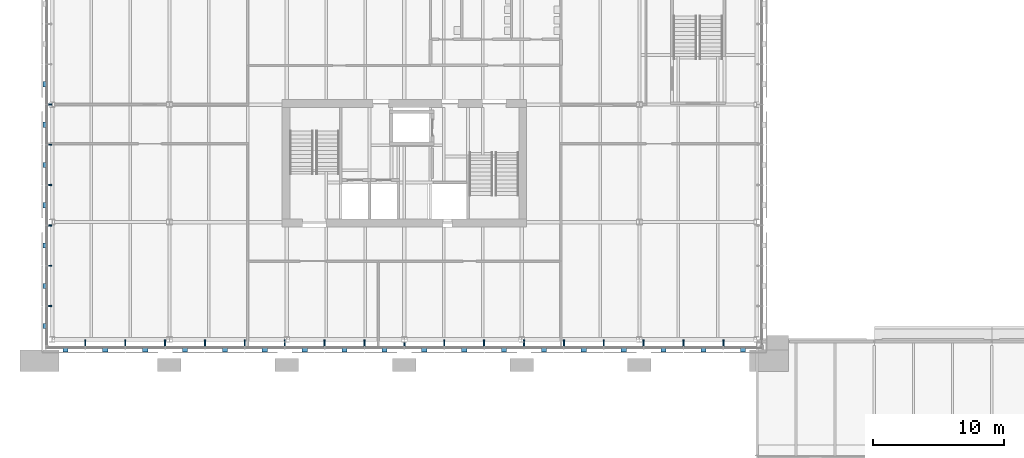
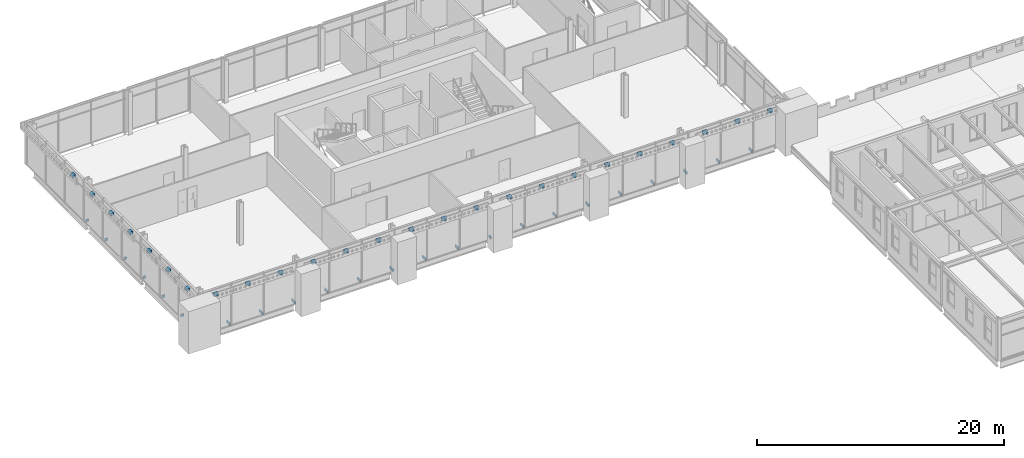
# One storey, part 90 of 123: 48 discrete accessories.
"""IFC4 building model written with IfcOpenShell, lengths in metres."""

from ifc_helpers import new_model, si_unit, direction, frame, origin, origin_2d, place, context, subcontext, project, spatial, rectangle, extrude, material, type_object, element, save


model = new_model("IFC4")

# Units and contexts
model_context = context("Model", 3, precision=1e-05, world=origin(), true_north=direction((0.0, 1.0)))
body_context = subcontext(model_context, "Body", "Model", "MODEL_VIEW")
ifc_project = project(units=[si_unit("LENGTHUNIT", "METRE"), si_unit("AREAUNIT", "SQUARE_METRE"), si_unit("VOLUMEUNIT", "CUBIC_METRE"), si_unit("PLANEANGLEUNIT", "RADIAN"), si_unit("MASSUNIT", "GRAM", prefix="KILO")], contexts=[model_context])

# Site, building, storey
site_placement = place(None, origin())
site = spatial("IfcSite", under=ifc_project, at=site_placement, CompositionType="ELEMENT")
building_placement = place(site_placement, origin())
building = spatial("IfcBuilding", under=site, at=building_placement, Name="Baradari Gate Terminus", CompositionType="ELEMENT")
storey_placement = place(building_placement, frame((0.0, 0.0, 7.5)))
storey = spatial("IfcBuildingStorey", under=building, at=storey_placement, Name="L01", CompositionType="ELEMENT", Elevation=7.5)

# Discrete accessories
ifc_material_1 = material(Name="Aluminium 6063-T6", Category="aluminium")
discrete_accessory_type_1 = type_object("IfcDiscreteAccessoryType", Name="Curtain wall bracket BK-1 100x250", PredefinedType="BRACKET", material=ifc_material_1)
for number, where, z_axis, x_axis, name in (
    (1, (11.56005859375, 116.739990234375, -0.10009765625), (0.0, 0.0, 1.0), (0.0, -1.0, 0.0), "Curtain wall bracket BK-1 L01/TS mullion 2"),
    (2, (14.614990234375, 116.739990234375, -0.10009765625), (0.0, 0.0, 1.0), (0.0, -1.0, 0.0), "Curtain wall bracket BK-1 L01/TS mullion 3"),
    (3, (17.669921875, 116.739990234375, -0.10009765625), (0.0, 0.0, 1.0), (0.0, -1.0, 0.0), "Curtain wall bracket BK-1 L01/TS mullion 4"),
    (4, (20.72509765625, 116.739990234375, -0.10009765625), (0.0, 0.0, 1.0), (0.0, -1.0, 0.0), "Curtain wall bracket BK-1 L01/TS mullion 5"),
    (5, (23.780029296875, 116.739990234375, -0.10009765625), (0.0, 0.0, 1.0), (0.0, -1.0, 0.0), "Curtain wall bracket BK-1 L01/TS mullion 6"),
    (6, (26.8349609375, 116.739990234375, -0.10009765625), (0.0, 0.0, 1.0), (0.0, -1.0, 0.0), "Curtain wall bracket BK-1 L01/TS mullion 7"),
    (7, (29.889892578125, 116.739990234375, -0.10009765625), (0.0, 0.0, 1.0), (0.0, -1.0, 0.0), "Curtain wall bracket BK-1 L01/TS mullion 8"),
    (8, (32.945068359375, 116.739990234375, -0.10009765625), (0.0, 0.0, 1.0), (0.0, -1.0, 0.0), "Curtain wall bracket BK-1 L01/TS mullion 9"),
):
    element("IfcDiscreteAccessory", number, at=place(storey_placement, frame(where, z_axis=z_axis, x_axis=x_axis)), inside=storey, type_object=discrete_accessory_type_1, Name=name, PredefinedType="BRACKET", context=body_context, shape_type="SweptSolid", body=[
        extrude(rectangle(XDim=0.52001953125, YDim=0.10009765625, at=origin_2d()), origin(), (0.0, 0.0, 1.0), 0.25),
    ])
discrete_accessory_placement = place(storey_placement, frame((36.0, 116.6416015625, -0.10009765625), z_axis=(0.0, 0.0, 1.0), x_axis=(0.0, -1.0, 0.0)))
element("IfcDiscreteAccessory", 9, at=discrete_accessory_placement, inside=storey, type_object=discrete_accessory_type_1, Name="Curtain wall bracket BK-1 L01/TS mullion 10", PredefinedType="BRACKET", context=body_context, shape_type="SweptSolid", body=[
    extrude(rectangle(XDim=0.3232421875, YDim=0.10009765625, at=origin_2d()), origin(), (0.0, 0.0, 1.0), 0.25),
])
for number, where, z_axis, x_axis, name in (
    (10, (39.054931640625, 116.739990234375, -0.10009765625), (0.0, 0.0, 1.0), (0.0, -1.0, 0.0), "Curtain wall bracket BK-1 L01/TS mullion 11"),
    (11, (42.110107421875, 116.739990234375, -0.10009765625), (0.0, 0.0, 1.0), (0.0, -1.0, 0.0), "Curtain wall bracket BK-1 L01/TS mullion 12"),
    (12, (45.1650390625, 116.739990234375, -0.10009765625), (0.0, 0.0, 1.0), (0.0, -1.0, 0.0), "Curtain wall bracket BK-1 L01/TS mullion 13"),
    (13, (48.219970703125, 116.739990234375, -0.10009765625), (0.0, 0.0, 1.0), (0.0, -1.0, 0.0), "Curtain wall bracket BK-1 L01/TS mullion 14"),
    (14, (51.27490234375, 116.739990234375, -0.10009765625), (0.0, 0.0, 1.0), (0.0, -1.0, 0.0), "Curtain wall bracket BK-1 L01/TS mullion 15"),
    (15, (54.330078125, 116.739990234375, -0.10009765625), (0.0, 0.0, 1.0), (0.0, -1.0, 0.0), "Curtain wall bracket BK-1 L01/TS mullion 16"),
    (16, (57.385009765625, 116.739990234375, -0.10009765625), (0.0, 0.0, 1.0), (0.0, -1.0, 0.0), "Curtain wall bracket BK-1 L01/TS mullion 17"),
    (17, (60.43994140625, 116.739990234375, -0.10009765625), (0.0, 0.0, 1.0), (0.0, -1.0, 0.0), "Curtain wall bracket BK-1 L01/TS mullion 18"),
):
    element("IfcDiscreteAccessory", number, at=place(storey_placement, frame(where, z_axis=z_axis, x_axis=x_axis)), inside=storey, type_object=discrete_accessory_type_1, Name=name, PredefinedType="BRACKET", context=body_context, shape_type="SweptSolid", body=[
        extrude(rectangle(XDim=0.52001953125, YDim=0.10009765625, at=origin_2d()), origin(), (0.0, 0.0, 1.0), 0.25),
    ])
for number, where, z_axis, x_axis, name in (
    (18, (8.864990234375, 119.56787109375, -0.10009765625), (0.0, 0.0, 1.0), (-1.0, 0.0, 0.0), "Curtain wall bracket BK-1 L01/TW mullion 2"),
    (19, (8.864990234375, 122.655517578125, -0.10009765625), (0.0, 0.0, 1.0), (-1.0, 0.0, 0.0), "Curtain wall bracket BK-1 L01/TW mullion 3"),
    (20, (8.864990234375, 125.743408203125, -0.10009765625), (0.0, 0.0, 1.0), (-1.0, 0.0, 0.0), "Curtain wall bracket BK-1 L01/TW mullion 4"),
    (21, (8.864990234375, 128.8310546875, -0.10009765625), (0.0, 0.0, 1.0), (-1.0, 0.0, 0.0), "Curtain wall bracket BK-1 L01/TW mullion 5"),
    (22, (8.864990234375, 131.9189453125, -0.10009765625), (0.0, 0.0, 1.0), (-1.0, 0.0, 0.0), "Curtain wall bracket BK-1 L01/TW mullion 6"),
    (23, (8.864990234375, 135.006591796875, -0.10009765625), (0.0, 0.0, 1.0), (-1.0, 0.0, 0.0), "Curtain wall bracket BK-1 L01/TW mullion 7"),
):
    element("IfcDiscreteAccessory", number, at=place(storey_placement, frame(where, z_axis=z_axis, x_axis=x_axis)), inside=storey, type_object=discrete_accessory_type_1, Name=name, PredefinedType="BRACKET", context=body_context, shape_type="SweptSolid", body=[
        extrude(rectangle(XDim=0.27001953125, YDim=0.10009765625, at=origin_2d()), origin(), (0.0, 0.0, 1.0), 0.25),
    ])
ifc_material_2 = material(Name="Stainless steel 316", Category="steel")
discrete_accessory_type_2 = type_object("IfcDiscreteAccessoryType", Name="Jali screen bracket BK-2 stainless steel", PredefinedType="BRACKET", material=ifc_material_2)
for number, where, z_axis, x_axis, name in (
    (24, (10.050048828125, 116.206298828125, 3.607421875), (0.0, 0.0, 1.0), (0.0, -1.0, 0.0), "Jali screen bracket BK-2 L01/TS bay 1"),
    (25, (13.08740234375, 116.206298828125, 3.607421875), (0.0, 0.0, 1.0), (0.0, -1.0, 0.0), "Jali screen bracket BK-2 L01/TS bay 2"),
    (26, (16.142578125, 116.206298828125, 3.607421875), (0.0, 0.0, 1.0), (0.0, -1.0, 0.0), "Jali screen bracket BK-2 L01/TS bay 3"),
    (27, (19.197509765625, 116.206298828125, 3.607421875), (0.0, 0.0, 1.0), (0.0, -1.0, 0.0), "Jali screen bracket BK-2 L01/TS bay 4"),
    (28, (22.25244140625, 116.206298828125, 3.607421875), (0.0, 0.0, 1.0), (0.0, -1.0, 0.0), "Jali screen bracket BK-2 L01/TS bay 5"),
    (29, (25.3076171875, 116.206298828125, 3.607421875), (0.0, 0.0, 1.0), (0.0, -1.0, 0.0), "Jali screen bracket BK-2 L01/TS bay 6"),
    (30, (28.362548828125, 116.206298828125, 3.607421875), (0.0, 0.0, 1.0), (0.0, -1.0, 0.0), "Jali screen bracket BK-2 L01/TS bay 7"),
    (31, (31.41748046875, 116.206298828125, 3.607421875), (0.0, 0.0, 1.0), (0.0, -1.0, 0.0), "Jali screen bracket BK-2 L01/TS bay 8"),
    (32, (34.472412109375, 116.206298828125, 3.607421875), (0.0, 0.0, 1.0), (0.0, -1.0, 0.0), "Jali screen bracket BK-2 L01/TS bay 9"),
    (33, (37.527587890625, 116.206298828125, 3.607421875), (0.0, 0.0, 1.0), (0.0, -1.0, 0.0), "Jali screen bracket BK-2 L01/TS bay 10"),
    (34, (40.58251953125, 116.206298828125, 3.607421875), (0.0, 0.0, 1.0), (0.0, -1.0, 0.0), "Jali screen bracket BK-2 L01/TS bay 11"),
    (35, (43.637451171875, 116.206298828125, 3.607421875), (0.0, 0.0, 1.0), (0.0, -1.0, 0.0), "Jali screen bracket BK-2 L01/TS bay 12"),
    (36, (46.6923828125, 116.206298828125, 3.607421875), (0.0, 0.0, 1.0), (0.0, -1.0, 0.0), "Jali screen bracket BK-2 L01/TS bay 13"),
    (37, (49.74755859375, 116.206298828125, 3.607421875), (0.0, 0.0, 1.0), (0.0, -1.0, 0.0), "Jali screen bracket BK-2 L01/TS bay 14"),
    (38, (52.802490234375, 116.206298828125, 3.607421875), (0.0, 0.0, 1.0), (0.0, -1.0, 0.0), "Jali screen bracket BK-2 L01/TS bay 15"),
    (39, (55.857421875, 116.206298828125, 3.607421875), (0.0, 0.0, 1.0), (0.0, -1.0, 0.0), "Jali screen bracket BK-2 L01/TS bay 16"),
    (40, (58.91259765625, 116.206298828125, 3.607421875), (0.0, 0.0, 1.0), (0.0, -1.0, 0.0), "Jali screen bracket BK-2 L01/TS bay 17"),
    (41, (61.949951171875, 116.206298828125, 3.607421875), (0.0, 0.0, 1.0), (0.0, -1.0, 0.0), "Jali screen bracket BK-2 L01/TS bay 18"),
    (42, (8.456298828125, 118.04150390625, 3.607421875), (0.0, 0.0, 1.0), (-1.0, 0.0, 0.0), "Jali screen bracket BK-2 L01/TW bay 1"),
    (43, (8.456298828125, 121.111572265625, 3.607421875), (0.0, 0.0, 1.0), (-1.0, 0.0, 0.0), "Jali screen bracket BK-2 L01/TW bay 2"),
    (44, (8.456298828125, 124.199462890625, 3.607421875), (0.0, 0.0, 1.0), (-1.0, 0.0, 0.0), "Jali screen bracket BK-2 L01/TW bay 3"),
    (45, (8.456298828125, 127.287109375, 3.607421875), (0.0, 0.0, 1.0), (-1.0, 0.0, 0.0), "Jali screen bracket BK-2 L01/TW bay 4"),
    (46, (8.456298828125, 130.375, 3.607421875), (0.0, 0.0, 1.0), (-1.0, 0.0, 0.0), "Jali screen bracket BK-2 L01/TW bay 5"),
    (47, (8.456298828125, 133.462890625, 3.607421875), (0.0, 0.0, 1.0), (-1.0, 0.0, 0.0), "Jali screen bracket BK-2 L01/TW bay 6"),
    (48, (8.456298828125, 136.550537109375, 3.607421875), (0.0, 0.0, 1.0), (-1.0, 0.0, 0.0), "Jali screen bracket BK-2 L01/TW bay 7"),
):
    element("IfcDiscreteAccessory", number, at=place(storey_placement, frame(where, z_axis=z_axis, x_axis=x_axis)), inside=storey, type_object=discrete_accessory_type_2, Name=name, PredefinedType="BRACKET", context=body_context, shape_type="SweptSolid", body=[
        extrude(rectangle(XDim=0.302490234375, YDim=0.39990234375, at=origin_2d()), origin(), (0.0, 0.0, 1.0), 0.25),
    ])

save(model, "model.ifc")
